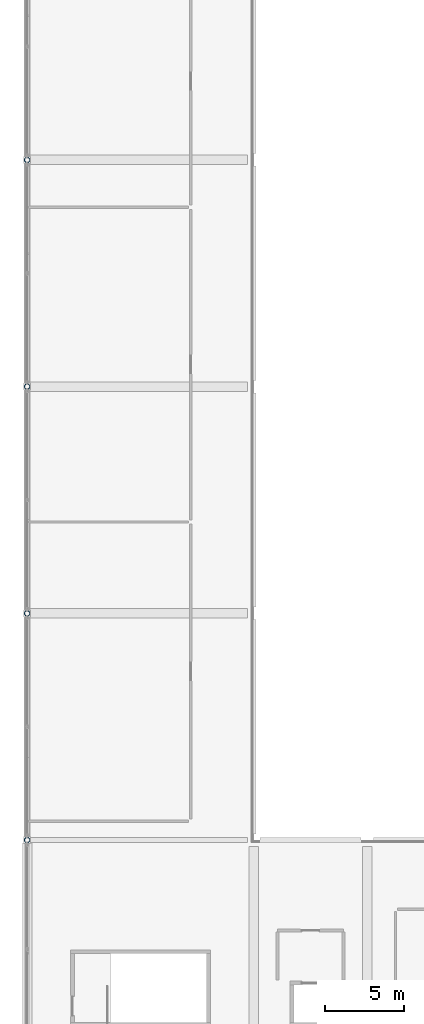
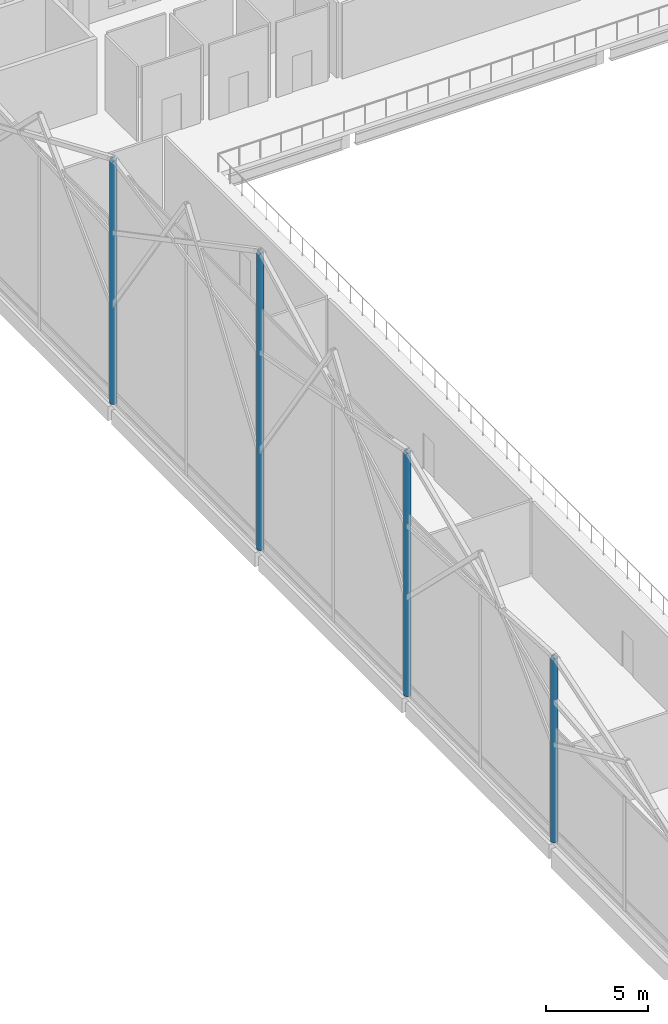
# One storey, part 9 of 220: 4 columns.
"""IFC4 building model written with IfcOpenShell, lengths in metres."""

from ifc_helpers import new_model, si_unit, direction, frame, origin, origin_2d, place, context, subcontext, project, spatial, hollow_circle, extrude, material, material_profile, profile_set, type_object, element, save


model = new_model("IFC4")

# Units and contexts
model_context = context("Model", 3, precision=1e-05, world=origin(), true_north=direction((0.0, 1.0)))
body_context = subcontext(model_context, "Body", "Model", "MODEL_VIEW")
ifc_project = project(units=[si_unit("LENGTHUNIT", "METRE"), si_unit("AREAUNIT", "SQUARE_METRE"), si_unit("VOLUMEUNIT", "CUBIC_METRE"), si_unit("PLANEANGLEUNIT", "RADIAN"), si_unit("MASSUNIT", "GRAM", prefix="KILO")], contexts=[model_context])

# Site, building, storey
site_placement = place(None, origin())
site = spatial("IfcSite", under=ifc_project, at=site_placement, CompositionType="ELEMENT")
building_placement = place(site_placement, origin())
building = spatial("IfcBuilding", under=site, at=building_placement, Name="Cendralis Lancet Convention Centre", CompositionType="ELEMENT")
storey_placement = place(building_placement, frame((0.0, 0.0, 5.39990234375)))
storey = spatial("IfcBuildingStorey", under=building, at=storey_placement, Name="L01", CompositionType="ELEMENT", Elevation=5.39990234375)

# Columns
ifc_material = material(Name="Steel S355", Category="steel")
ifc_material_profile = material_profile(ifc_material, hollow_circle(Radius=0.177734375, WallThickness=0.01611328125, at=origin_2d()), Name="CHS 355.6x16.0")
ifc_profile_set = profile_set([ifc_material_profile], Name="Steel S355")
column_type = type_object("IfcColumnType", Name="STR-COL-C28", PredefinedType="COLUMN", material=ifc_profile_set)
column_1_placement = place(storey_placement, frame((0.0, 64.800048828125, 0.0), z_axis=(0.0, 0.0, 1.0), x_axis=(1.0, 0.0, 0.0)))
element("IfcColumn", 1, at=column_1_placement, inside=storey, type_object=column_type, Name="L01 Column C28 at 0.0,64.8", PredefinedType="COLUMN", context=body_context, shape_type="SweptSolid", body=[
    extrude(hollow_circle(Radius=0.177734375, WallThickness=0.01611328125, at=origin_2d()), origin(), (0.0, 0.0, 1.0), 11.0009765625),
])
column_2_placement = place(storey_placement, frame((0.0, 79.199951171875, 0.0), z_axis=(0.0, 0.0, 1.0), x_axis=(1.0, 0.0, 0.0)))
element("IfcColumn", 2, at=column_2_placement, inside=storey, type_object=column_type, Name="L01 Column C28 at 0.0,79.2", PredefinedType="COLUMN", context=body_context, shape_type="SweptSolid", body=[
    extrude(hollow_circle(Radius=0.177734375, WallThickness=0.01611328125, at=origin_2d()), origin(), (0.0, 0.0, 1.0), 14.55615234375),
])
column_3_placement = place(storey_placement, frame((0.0, 93.60009765625, 0.0), z_axis=(0.0, 0.0, 1.0), x_axis=(1.0, 0.0, 0.0)))
element("IfcColumn", 3, at=column_3_placement, inside=storey, type_object=column_type, Name="L01 Column C28 at 0.0,93.6", PredefinedType="COLUMN", context=body_context, shape_type="SweptSolid", body=[
    extrude(hollow_circle(Radius=0.177734375, WallThickness=0.01611328125, at=origin_2d()), origin(), (0.0, 0.0, 1.0), 17.774169921875),
])
column_4_placement = place(storey_placement, frame((0.0, 108.0, 0.0), z_axis=(0.0, 0.0, 1.0), x_axis=(1.0, 0.0, 0.0)))
element("IfcColumn", 4, at=column_4_placement, inside=storey, type_object=column_type, Name="L01 Column C28 at 0.0,108.0", PredefinedType="COLUMN", context=body_context, shape_type="SweptSolid", body=[
    extrude(hollow_circle(Radius=0.177734375, WallThickness=0.01611328125, at=origin_2d()), origin(), (0.0, 0.0, 1.0), 14.55615234375),
])

save(model, "model.ifc")
